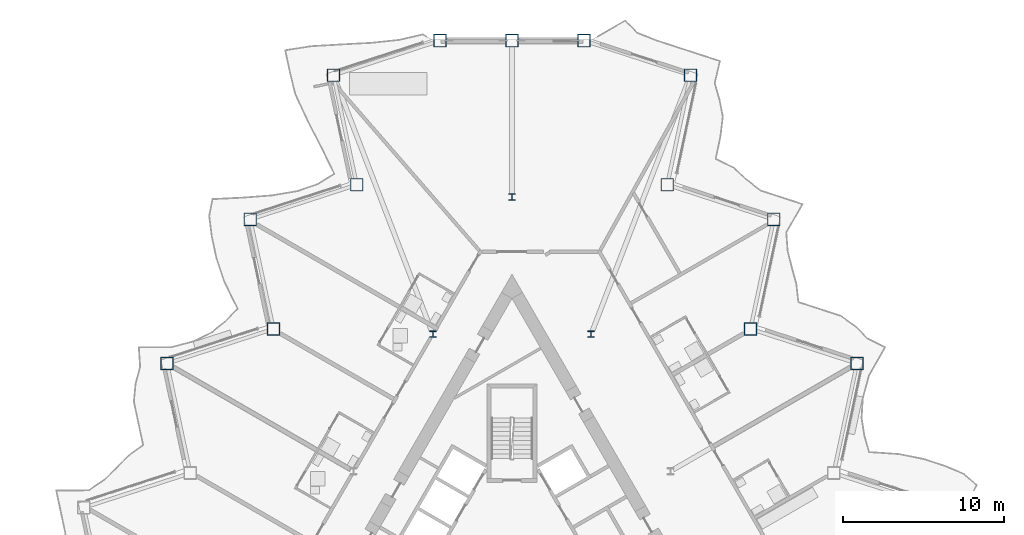
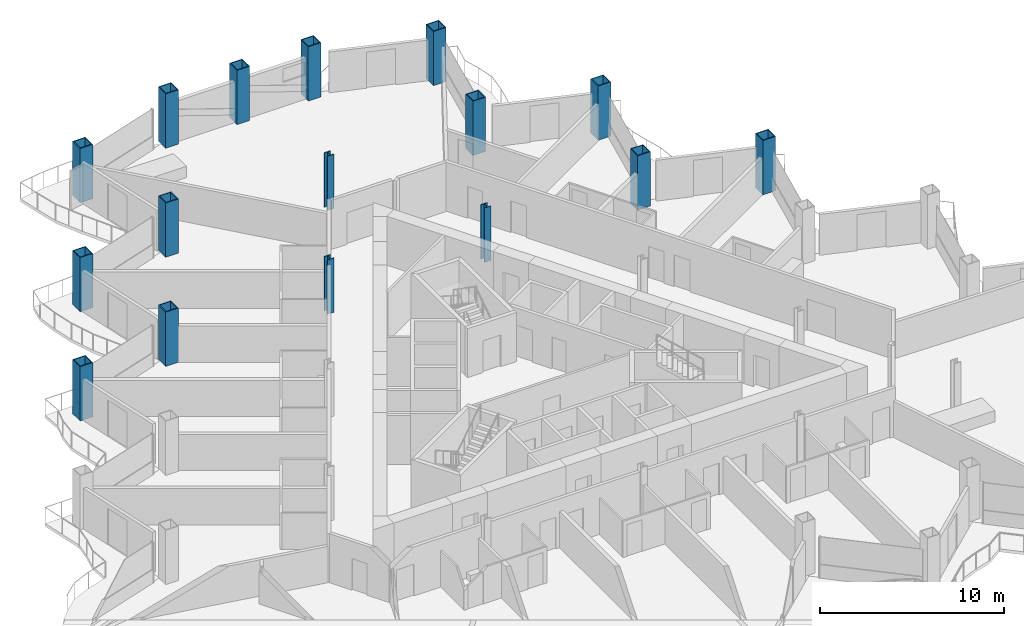
# One storey, part 2 of 23: 16 columns.
"""IFC4 building model written with IfcOpenShell, lengths in metres."""

from ifc_helpers import new_model, si_unit, direction, frame, origin, origin_2d, place, context, subcontext, project, spatial, hollow_rectangle, i_section, extrude, material, material_profile, profile_set, type_object, element, save


model = new_model("IFC4")

# Units and contexts
model_context = context("Model", 3, precision=1e-05, world=origin(), true_north=direction((0.0, 1.0)))
body_context = subcontext(model_context, "Body", "Model", "MODEL_VIEW")
ifc_project = project(units=[si_unit("LENGTHUNIT", "METRE"), si_unit("AREAUNIT", "SQUARE_METRE"), si_unit("VOLUMEUNIT", "CUBIC_METRE"), si_unit("PLANEANGLEUNIT", "RADIAN"), si_unit("MASSUNIT", "GRAM", prefix="KILO")], contexts=[model_context])

# Site, building, storey
site_placement = place(None, origin())
site = spatial("IfcSite", under=ifc_project, at=site_placement, CompositionType="ELEMENT")
building_placement = place(site_placement, origin())
building = spatial("IfcBuilding", under=site, at=building_placement, Name="Cormorant Prow Tower", CompositionType="ELEMENT")
storey_placement = place(building_placement, frame((0.0, 0.0, 187.199951171875)))
storey = spatial("IfcBuildingStorey", under=building, at=storey_placement, Name="L40", CompositionType="ELEMENT", Elevation=187.199951171875)

# Columns
ifc_material_1 = material(Name="Structural steel ASTM A572 Gr 50", Category="steel")
ifc_material_profile_1 = material_profile(ifc_material_1, hollow_rectangle(XDim=0.800048828125, YDim=0.800048828125, WallThickness=0.050048828125, at=origin_2d()), Name="Box 800x800x50")
ifc_profile_set_1 = profile_set([ifc_material_profile_1], Name="Structural steel ASTM A572 Gr 50")
column_type_1 = type_object("IfcColumnType", Name="Perimeter box column 800x800x50", PredefinedType="COLUMN", material=ifc_profile_set_1)
for number, where, z_axis, x_axis, name in (
    (1, (21.409423828125, 12.36083984375, 0.0), (0.0, 0.0, 1.0), (1.0, 0.0, 0.0), "Perimeter column C4 at ENE05 L40"),
    (2, (14.7998046875, 14.50830078125, 0.0), (0.0, 0.0, 1.0), (1.0, 0.0, 0.0), "Perimeter column C4 at ENE06 L40"),
    (3, (16.244873046875, 21.306396484375, 0.0), (0.0, 0.0, 1.0), (1.0, 0.0, 0.0), "Perimeter column C4 at ENE07 L40"),
    (4, (9.63525390625, 23.453857421875, 0.0), (0.0, 0.0, 1.0), (1.0, 0.0, 0.0), "Perimeter column C4 at ENE08 L40"),
    (5, (11.080078125, 30.251953125, 0.0), (0.0, 0.0, 1.0), (1.0, 0.0, 0.0), "Perimeter column C4 at ENE09 L40"),
    (6, (4.470458984375, 32.3994140625, 0.0), (0.0, 0.0, 1.0), (1.0, 0.0, 0.0), "Perimeter column C4 at N00 L40"),
    (7, (0.0, 32.3994140625, 0.0), (0.0, 0.0, 1.0), (1.0, 0.0, 0.0), "Perimeter column C4 at N01 L40"),
    (8, (-4.470458984375, 32.3994140625, 0.0), (0.0, 0.0, 1.0), (1.0, 0.0, 0.0), "Perimeter column C4 at WNW00 L40"),
    (9, (-11.080078125, 30.251953125, 0.0), (0.0, 0.0, 1.0), (1.0, 0.0, 0.0), "Perimeter column C4 at WNW01 L40"),
    (10, (-9.63525390625, 23.453857421875, 0.0), (0.0, 0.0, 1.0), (1.0, 0.0, 0.0), "Perimeter column C4 at WNW02 L40"),
    (11, (-16.244873046875, 21.306396484375, 0.0), (0.0, 0.0, 1.0), (1.0, 0.0, 0.0), "Perimeter column C4 at WNW03 L40"),
    (12, (-14.7998046875, 14.50830078125, 0.0), (0.0, 0.0, 1.0), (1.0, 0.0, 0.0), "Perimeter column C4 at WNW04 L40"),
    (13, (-21.409423828125, 12.36083984375, 0.0), (0.0, 0.0, 1.0), (1.0, 0.0, 0.0), "Perimeter column C4 at WNW05 L40"),
):
    element("IfcColumn", number, at=place(storey_placement, frame(where, z_axis=z_axis, x_axis=x_axis)), inside=storey, type_object=column_type_1, Name=name, PredefinedType="COLUMN", context=body_context, shape_type="SweptSolid", body=[
        extrude(hollow_rectangle(XDim=0.800048828125, YDim=0.800048828125, WallThickness=0.050048828125, at=origin_2d()), origin(), (0.0, 0.0, 1.0), 3.60009765625),
    ])
ifc_material_2 = material(Name="Structural steel ASTM A992 Gr 50", Category="steel")
ifc_material_profile_2 = material_profile(ifc_material_2, i_section(OverallWidth=0.403564453125, OverallDepth=0.407470703125, WebThickness=0.027099609375, FlangeThickness=0.043701171875, at=origin_2d()), Name="W14x233")
ifc_profile_set_2 = profile_set([ifc_material_profile_2], Name="Structural steel ASTM A992 Gr 50")
column_type_2 = type_object("IfcColumnType", Name="Ring column W14x233", PredefinedType="COLUMN", material=ifc_profile_set_2)
for number, where, z_axis, x_axis, name in (
    (14, (0.0, 22.69775390625, 0.0), (0.0, 0.0, 1.0), (1.0, 0.0, 0.0), "Ring column 1 L40"),
    (15, (-4.914306640625, 14.186279296875, 0.0), (0.0, 0.0, 1.0), (1.0, 0.0, 0.0), "Ring column 2 L40"),
    (16, (4.914306640625, 14.186279296875, 0.0), (0.0, 0.0, 1.0), (1.0, 0.0, 0.0), "Ring column 12 L40"),
):
    element("IfcColumn", number, at=place(storey_placement, frame(where, z_axis=z_axis, x_axis=x_axis)), inside=storey, type_object=column_type_2, Name=name, PredefinedType="COLUMN", context=body_context, shape_type="SweptSolid", body=[
        extrude(i_section(OverallWidth=0.403564453125, OverallDepth=0.407470703125, WebThickness=0.027099609375, FlangeThickness=0.043701171875, at=origin_2d()), origin(), (0.0, 0.0, 1.0), 3.60009765625),
    ])

save(model, "model.ifc")
